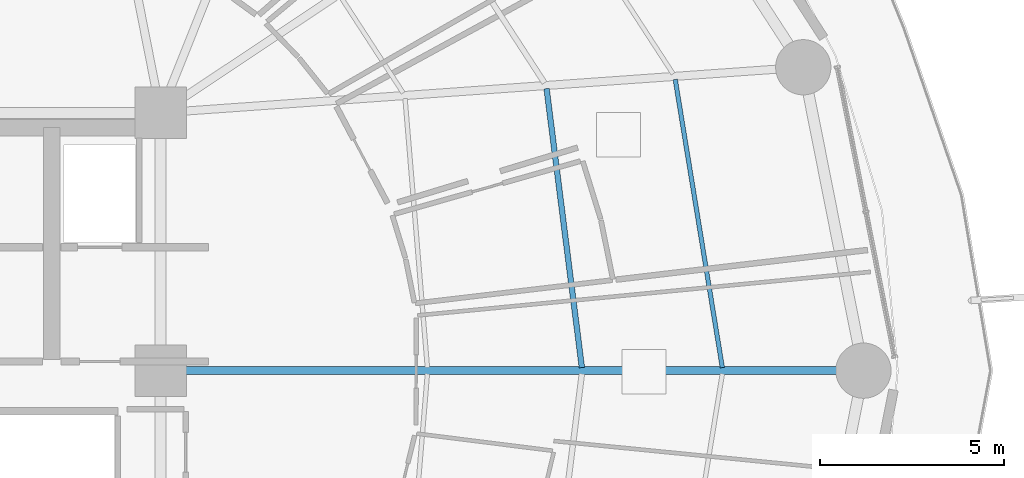
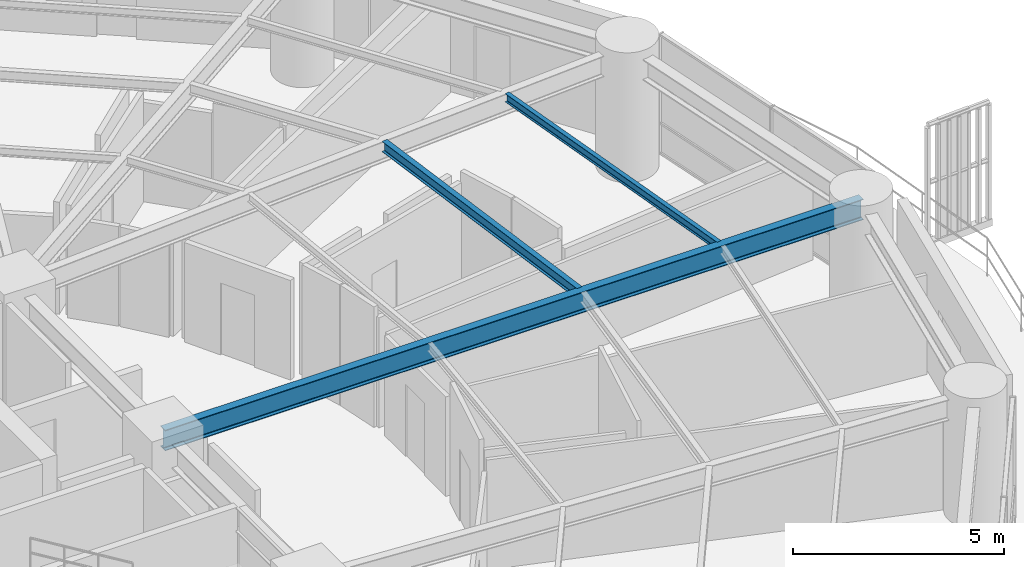
# One storey, part 13 of 32: 3 beams.
"""IFC4 building model written with IfcOpenShell, lengths in metres."""

from ifc_helpers import new_model, si_unit, direction, frame, origin, origin_2d, place, context, subcontext, project, spatial, i_section, extrude, material, material_profile, profile_set, type_object, element, save


model = new_model("IFC4")

# Units and contexts
model_context = context("Model", 3, precision=1e-05, world=origin(), true_north=direction((0.0, 1.0)))
body_context = subcontext(model_context, "Body", "Model", "MODEL_VIEW")
ifc_project = project(units=[si_unit("LENGTHUNIT", "METRE"), si_unit("AREAUNIT", "SQUARE_METRE"), si_unit("VOLUMEUNIT", "CUBIC_METRE"), si_unit("PLANEANGLEUNIT", "RADIAN"), si_unit("MASSUNIT", "GRAM", prefix="KILO")], contexts=[model_context])

# Site, building, storey
site_placement = place(None, origin())
site = spatial("IfcSite", under=ifc_project, at=site_placement, CompositionType="ELEMENT")
building_placement = place(site_placement, origin())
building = spatial("IfcBuilding", under=site, at=building_placement, Name="Kelanora Arch Commons", CompositionType="ELEMENT")
storey_placement = place(building_placement, frame((0.0, 0.0, 52.5)))
storey = spatial("IfcBuildingStorey", under=building, at=storey_placement, Name="L13", CompositionType="ELEMENT", Elevation=52.5)

# Beams
ifc_material = material(Name="Steel S355", Category="steel")
ifc_material_profile_1 = material_profile(ifc_material, i_section(OverallWidth=0.14990234375, OverallDepth=0.300048828125, WebThickness=0.007080078125, FlangeThickness=0.0107421875, FilletRadius=0.014892578125, at=origin_2d()), Name="IPE300")
ifc_profile_set_1 = profile_set([ifc_material_profile_1], Name="Steel S355")
beam_type_1 = type_object("IfcBeamType", Name="BM-JST-01", PredefinedType="JOIST", material=ifc_profile_set_1)
beam_1_placement = place(storey_placement, frame((93.437255859375, 58.084228515625, 3.340087890625), z_axis=(-0.125565841651, 0.992085288375, 0.0), x_axis=(-0.992085288375, -0.125565841651, 0.0)))
element("IfcBeam", 1, at=beam_1_placement, inside=storey, type_object=beam_type_1, Name="Secondary Chord Joist BJB-00 L13", PredefinedType="JOIST", context=body_context, shape_type="SweptSolid", body=[
    extrude(i_section(OverallWidth=0.14990234375, OverallDepth=0.300048828125, WebThickness=0.007080078125, FlangeThickness=0.0107421875, FilletRadius=0.014892578125, at=origin_2d()), origin(), (0.0, 0.0, 1.0), 7.63330078125),
])
ifc_material_profile_2 = material_profile(ifc_material, i_section(OverallWidth=0.1201171875, OverallDepth=0.239990234375, WebThickness=0.006103515625, FlangeThickness=0.009765625, FilletRadius=0.014892578125, at=origin_2d()), Name="IPE240")
ifc_profile_set_2 = profile_set([ifc_material_profile_2], Name="Steel S355")
beam_type_2 = type_object("IfcBeamType", Name="BM-JST-02", PredefinedType="JOIST", material=ifc_profile_set_2)
beam_2_placement = place(storey_placement, frame((97.250244140625, 58.083984375, 3.3701171875), z_axis=(-0.161400737199, 0.986888951216, 0.0), x_axis=(-0.986888951216, -0.161400737199, 0.0)))
element("IfcBeam", 2, at=beam_2_placement, inside=storey, type_object=beam_type_2, Name="Secondary Chord Joist BJC-00 L13", PredefinedType="JOIST", context=body_context, shape_type="SweptSolid", body=[
    extrude(i_section(OverallWidth=0.1201171875, OverallDepth=0.239990234375, WebThickness=0.006103515625, FlangeThickness=0.009765625, FilletRadius=0.014892578125, at=origin_2d()), origin(), (0.0, 0.0, 1.0), 7.9248046875),
])
ifc_material_profile_3 = material_profile(ifc_material, i_section(OverallWidth=0.219970703125, OverallDepth=0.60009765625, WebThickness=0.011962890625, FlangeThickness=0.01904296875, FilletRadius=0.02392578125, at=origin_2d()), Name="IPE600")
ifc_profile_set_3 = profile_set([ifc_material_profile_3], Name="Steel S355")
beam_type_3 = type_object("IfcBeamType", Name="BM-RAD-Z1", PredefinedType="BEAM", material=ifc_profile_set_3)
beam_3_placement = place(storey_placement, frame((82.0, 58.0, 3.18994140625), z_axis=(1.0, 0.0, 0.0), x_axis=(0.0, 1.0, 0.0)))
element("IfcBeam", 3, at=beam_3_placement, inside=storey, type_object=beam_type_3, Name="Radial Floor Girder BR-00 L13", PredefinedType="BEAM", context=body_context, shape_type="SweptSolid", body=[
    extrude(i_section(OverallWidth=0.219970703125, OverallDepth=0.60009765625, WebThickness=0.011962890625, FlangeThickness=0.01904296875, FilletRadius=0.02392578125, at=origin_2d()), origin(), (0.0, 0.0, 1.0), 19.080078125),
])

save(model, "model.ifc")
